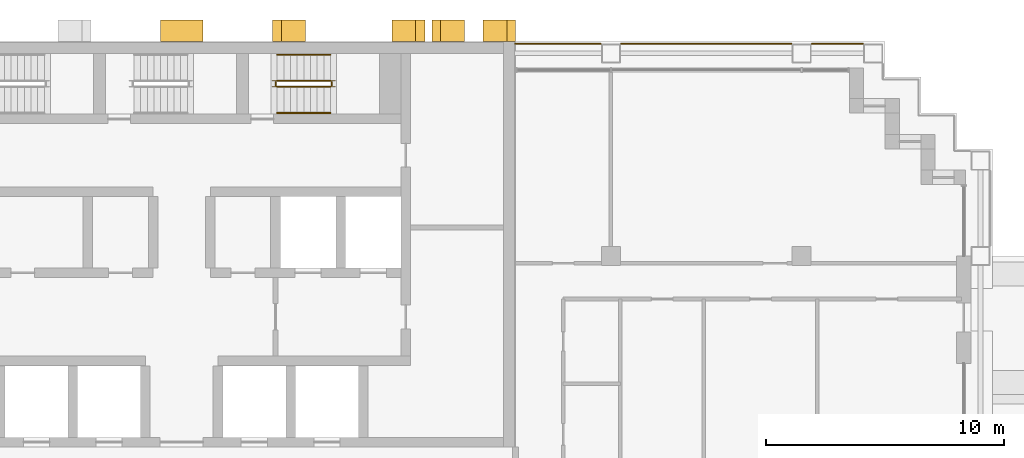
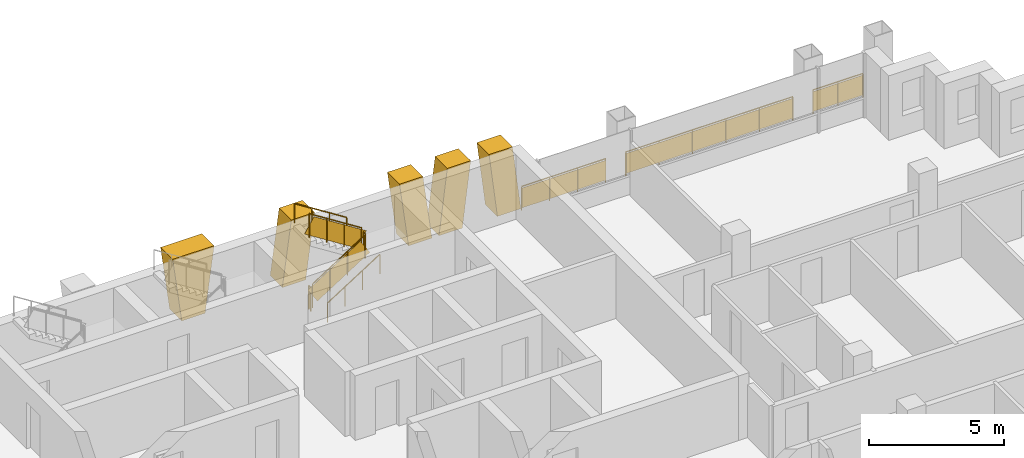
# One storey, part 17 of 18: 9 railings, 5 shading devices.
"""IFC4 building model written with IfcOpenShell, lengths in metres."""

from ifc_helpers import new_model, si_unit, direction, frame, origin, origin_2d, place, context, subcontext, project, spatial, polyline, rectangle, circle, outline, extrude, material, layer, layer_set, type_object, element, save


model = new_model("IFC4")

# Units and contexts
model_context = context("Model", 3, precision=1e-05, world=origin(), true_north=direction((0.0, 1.0)))
body_context = subcontext(model_context, "Body", "Model", "MODEL_VIEW")
ifc_project = project(units=[si_unit("LENGTHUNIT", "METRE"), si_unit("AREAUNIT", "SQUARE_METRE"), si_unit("VOLUMEUNIT", "CUBIC_METRE"), si_unit("PLANEANGLEUNIT", "RADIAN"), si_unit("MASSUNIT", "GRAM", prefix="KILO")], contexts=[model_context])

# Site, building, storey
site_placement = place(None, origin())
site = spatial("IfcSite", under=ifc_project, at=site_placement, CompositionType="ELEMENT")
building_placement = place(site_placement, origin())
building = spatial("IfcBuilding", under=site, at=building_placement, Name="Vidyagriha Tower", CompositionType="ELEMENT")
storey_placement = place(building_placement, frame((0.0, 0.0, 142.199951171875)))
storey = spatial("IfcBuildingStorey", under=building, at=storey_placement, Name="L37", CompositionType="ELEMENT", Elevation=142.199951171875)

# Shading devices
ifc_material_1 = material(Name="Precast concrete C40/50 with brick facing", Category="concrete")
ifc_layer_1 = layer(ifc_material_1, 1.0)
ifc_layer_set_1 = layer_set([ifc_layer_1], Name="Precast concrete C40/50 with brick facing")
shading_device_type_1 = type_object("IfcShadingDeviceType", Name="Brick-faced rear rib arm leaning 8 degrees", PredefinedType="USERDEFINED", material=ifc_layer_set_1)
shading_device_1_placement = place(storey_placement, frame((11.857177734375, 20.449951171875, 0.0), z_axis=(0.0, 0.0, 1.0), x_axis=(-1.0, 0.0, 0.0)))
element("IfcShadingDevice", 1, at=shading_device_1_placement, inside=storey, type_object=shading_device_type_1, Name="Rear rib arm L37 R08.1a", ObjectType="BLADE FIN", PredefinedType="USERDEFINED", context=body_context, shape_type="SweptSolid", body=[
    extrude(outline(polyline([(0.357177734375, 0.0), (1.357177734375, 0.0), (1.0, 2.920166015625), (0.0, 2.920166015625), (0.357177734375, 0.0)])), frame((0.0, 0.449951171875, 0.0), z_axis=(0.0, -1.0, 0.0), x_axis=(1.0, 0.0, 0.0)), (0.0, 0.0, 1.0), 0.89990234375),
])
shading_device_2_placement = place(storey_placement, frame((14.0, 20.449951171875, 0.0), z_axis=(0.0, 0.0, 1.0), x_axis=(-1.0, 0.0, 0.0)))
element("IfcShadingDevice", 2, at=shading_device_2_placement, inside=storey, type_object=shading_device_type_1, Name="Rear rib arm L37 R08.1b", ObjectType="BLADE FIN", PredefinedType="USERDEFINED", context=body_context, shape_type="SweptSolid", body=[
    extrude(outline(polyline([(0.0, 0.0), (1.0, 0.0), (1.357177734375, 2.920166015625), (0.357177734375, 2.920166015625), (0.0, 0.0)])), frame((0.0, 0.449951171875, 0.0), z_axis=(0.0, -1.0, 0.0), x_axis=(1.0, 0.0, 0.0)), (0.0, 0.0, 1.0), 0.89990234375),
])
shading_device_3_placement = place(storey_placement, frame((5.185791015625, 20.449951171875, 0.0), z_axis=(0.0, 0.0, 1.0), x_axis=(-1.0, 0.0, 0.0)))
element("IfcShadingDevice", 3, at=shading_device_3_placement, inside=storey, type_object=shading_device_type_1, Name="Rear rib arm L37 R08.2a", ObjectType="BLADE FIN", PredefinedType="USERDEFINED", context=body_context, shape_type="SweptSolid", body=[
    extrude(outline(polyline([(0.3857421875, 0.0), (1.3857421875, 0.0), (1.0, 2.920166015625), (0.0, 2.920166015625), (0.3857421875, 0.0)])), frame((0.0, 0.449951171875, 0.0), z_axis=(0.0, -1.0, 0.0), x_axis=(1.0, 0.0, 0.0)), (0.0, 0.0, 1.0), 0.89990234375),
])
shading_device_4_placement = place(storey_placement, frame((10.199951171875, 20.449951171875, 0.0), z_axis=(0.0, 0.0, 1.0), x_axis=(-1.0, 0.0, 0.0)))
element("IfcShadingDevice", 4, at=shading_device_4_placement, inside=storey, type_object=shading_device_type_1, Name="Rear rib arm L37 R08.2b", ObjectType="BLADE FIN", PredefinedType="USERDEFINED", context=body_context, shape_type="SweptSolid", body=[
    extrude(outline(polyline([(0.0, 0.0), (1.0, 0.0), (1.3857421875, 2.920166015625), (0.3857421875, 2.920166015625), (0.0, 0.0)])), frame((0.0, 0.449951171875, 0.0), z_axis=(0.0, -1.0, 0.0), x_axis=(1.0, 0.0, 0.0)), (0.0, 0.0, 1.0), 0.89990234375),
])
ifc_material_2 = material(Name="Precast concrete C40/50 with brick facing", Category="concrete")
ifc_layer_2 = layer(ifc_material_2, 1.0)
ifc_layer_set_2 = layer_set([ifc_layer_2], Name="Precast concrete C40/50 with brick facing")
shading_device_type_2 = type_object("IfcShadingDeviceType", Name="Brick-faced rear rib forking 8 degrees", PredefinedType="USERDEFINED", material=ifc_layer_set_2)
shading_device_5_placement = place(storey_placement, frame((0.8857421875, 20.449951171875, 0.0), z_axis=(0.0, 0.0, 1.0), x_axis=(-1.0, 0.0, 0.0)))
element("IfcShadingDevice", 5, at=shading_device_5_placement, inside=storey, type_object=shading_device_type_2, Name="Rear rib fork L37 R08.3a", ObjectType="BLADE FIN", PredefinedType="USERDEFINED", context=body_context, shape_type="SweptSolid", body=[
    extrude(outline(polyline([(0.3857421875, 0.0), (1.3857421875, 0.0), (1.771484375, 2.920166015625), (0.0, 2.920166015625), (0.3857421875, 0.0)])), frame((0.0, 0.449951171875, 0.0), z_axis=(0.0, -1.0, 0.0), x_axis=(1.0, 0.0, 0.0)), (0.0, 0.0, 1.0), 0.89990234375),
])

# Railings
ifc_material_3 = material(Name="Steel ASTM A500 Grade C black painted", Category="steel")
railing_type_1 = type_object("IfcRailingType", Name="Gallery guard 1100", PredefinedType="GUARDRAIL", material=ifc_material_3)
railing_1_placement = place(storey_placement, frame((13.97998046875, 19.89990234375, 0.0)))
element("IfcRailing", 6, at=railing_1_placement, inside=storey, type_object=railing_type_1, Name="Gallery guard L37 9", PredefinedType="GUARDRAIL", context=body_context, shape_type="SweptSolid", body=[
    extrude(circle(Radius=0.02490234375, at=origin_2d()), frame((0.0, 0.0, 1.0751953125), z_axis=(1.0, 0.0, 0.0), x_axis=(0.0, 1.0, 0.0)), (0.0, 0.0, 1.0), 3.590087890625),
    extrude(circle(Radius=0.02001953125, at=origin_2d()), origin(), (0.0, 0.0, 1.0), 1.050048828125),
    extrude(circle(Radius=0.02001953125, at=origin_2d()), frame((1.19677734375, 0.0, 0.0)), (0.0, 0.0, 1.0), 1.050048828125),
    extrude(circle(Radius=0.02001953125, at=origin_2d()), frame((2.393310546875, 0.0, 0.0)), (0.0, 0.0, 1.0), 1.050048828125),
    extrude(circle(Radius=0.02001953125, at=origin_2d()), frame((3.590087890625, 0.0, 0.0)), (0.0, 0.0, 1.0), 1.050048828125),
    extrude(rectangle(XDim=0.010009765625, YDim=0.900146484375, at=origin_2d()), frame((0.0, 0.0, 0.550048828125), z_axis=(1.0, 0.0, 0.0), x_axis=(0.0, 1.0, 0.0)), (0.0, 0.0, 1.0), 3.590087890625),
])
railing_2_placement = place(storey_placement, frame((18.429931640625, 19.89990234375, 0.0)))
element("IfcRailing", 7, at=railing_2_placement, inside=storey, type_object=railing_type_1, Name="Gallery guard L37 10", PredefinedType="GUARDRAIL", context=body_context, shape_type="SweptSolid", body=[
    extrude(circle(Radius=0.02490234375, at=origin_2d()), frame((0.0, 0.0, 1.0751953125), z_axis=(1.0, 0.0, 0.0), x_axis=(0.0, 1.0, 0.0)), (0.0, 0.0, 1.0), 7.14013671875),
    extrude(circle(Radius=0.02001953125, at=origin_2d()), origin(), (0.0, 0.0, 1.0), 1.050048828125),
    extrude(circle(Radius=0.02001953125, at=origin_2d()), frame((1.427978515625, 0.0, 0.0)), (0.0, 0.0, 1.0), 1.050048828125),
    extrude(circle(Radius=0.02001953125, at=origin_2d()), frame((2.85595703125, 0.0, 0.0)), (0.0, 0.0, 1.0), 1.050048828125),
    extrude(circle(Radius=0.02001953125, at=origin_2d()), frame((4.2841796875, 0.0, 0.0)), (0.0, 0.0, 1.0), 1.050048828125),
    extrude(circle(Radius=0.02001953125, at=origin_2d()), frame((5.712158203125, 0.0, 0.0)), (0.0, 0.0, 1.0), 1.050048828125),
    extrude(circle(Radius=0.02001953125, at=origin_2d()), frame((7.14013671875, 0.0, 0.0)), (0.0, 0.0, 1.0), 1.050048828125),
    extrude(rectangle(XDim=0.010009765625, YDim=0.900146484375, at=origin_2d()), frame((0.0, 0.0, 0.550048828125), z_axis=(1.0, 0.0, 0.0), x_axis=(0.0, 1.0, 0.0)), (0.0, 0.0, 1.0), 7.14013671875),
])
railing_3_placement = place(storey_placement, frame((26.429931640625, 19.89990234375, 0.0)))
element("IfcRailing", 8, at=railing_3_placement, inside=storey, type_object=railing_type_1, Name="Gallery guard L37 12", PredefinedType="GUARDRAIL", context=body_context, shape_type="SweptSolid", body=[
    extrude(circle(Radius=0.02490234375, at=origin_2d()), frame((0.0, 0.0, 1.0751953125), z_axis=(1.0, 0.0, 0.0), x_axis=(0.0, 1.0, 0.0)), (0.0, 0.0, 1.0), 2.14013671875),
    extrude(circle(Radius=0.02001953125, at=origin_2d()), origin(), (0.0, 0.0, 1.0), 1.050048828125),
    extrude(circle(Radius=0.02001953125, at=origin_2d()), frame((1.070068359375, 0.0, 0.0)), (0.0, 0.0, 1.0), 1.050048828125),
    extrude(circle(Radius=0.02001953125, at=origin_2d()), frame((2.14013671875, 0.0, 0.0)), (0.0, 0.0, 1.0), 1.050048828125),
    extrude(rectangle(XDim=0.010009765625, YDim=0.900146484375, at=origin_2d()), frame((0.0, 0.0, 0.550048828125), z_axis=(1.0, 0.0, 0.0), x_axis=(0.0, 1.0, 0.0)), (0.0, 0.0, 1.0), 2.14013671875),
])
ifc_material_4 = material(Name="Steel ASTM A500 Grade C", Category="steel")
railing_type_2 = type_object("IfcRailingType", Name="Stair guard 1100 mm, steel balustrade", PredefinedType="GUARDRAIL", material=ifc_material_4)
railing_4_placement = place(storey_placement, frame((4.0, 18.10009765625, 0.177734375)))
element("IfcRailing", 9, at=railing_4_placement, inside=storey, type_object=railing_type_2, Name="L37 ST3 stair guard 1", PredefinedType="GUARDRAIL", context=body_context, shape_type="SweptSolid", body=[
    extrude(circle(Radius=0.02392578125, at=origin_2d()), frame((0.0, 0.0, 1.076171875), z_axis=(0.84418770128, 0.0, 0.536047689118), x_axis=(0.0, 1.0, 0.0)), (0.0, 0.0, 1.0), 2.6533203125),
    extrude(circle(Radius=0.02099609375, at=origin_2d()), origin(), (0.0, 0.0, 1.0), 1.052001953125),
    extrude(circle(Radius=0.02099609375, at=origin_2d()), frame((0.74658203125, 0.0, 0.47412109375)), (0.0, 0.0, 1.0), 1.052001953125),
    extrude(circle(Radius=0.02099609375, at=origin_2d()), frame((1.493408203125, 0.0, 0.9482421875)), (0.0, 0.0, 1.0), 1.052001953125),
    extrude(circle(Radius=0.02099609375, at=origin_2d()), frame((2.239990234375, 0.0, 1.42236328125)), (0.0, 0.0, 1.0), 1.052001953125),
    extrude(rectangle(XDim=0.010009765625, YDim=0.761474609375, at=origin_2d()), frame((0.0, 0.0, 0.551025390625), z_axis=(0.84418770128, 0.0, 0.536047689118), x_axis=(0.0, 1.0, 0.0)), (0.0, 0.0, 1.0), 2.6533203125),
])
railing_5_placement = place(storey_placement, frame((6.2900390625, 18.14990234375, 1.60009765625)))
element("IfcRailing", 10, at=railing_5_placement, inside=storey, type_object=railing_type_2, Name="L37 ST3 stair guard 2", PredefinedType="GUARDRAIL", context=body_context, shape_type="SweptSolid", body=[
    extrude(circle(Radius=0.02392578125, at=origin_2d()), frame((0.0, 0.0, 1.076171875), z_axis=(0.0, 1.0, 0.0), x_axis=(-1.0, 0.0, 0.0)), (0.0, 0.0, 1.0), 0.150146484375),
    extrude(circle(Radius=0.02099609375, at=origin_2d()), origin(), (0.0, 0.0, 1.0), 1.052001953125),
    extrude(circle(Radius=0.02099609375, at=origin_2d()), frame((0.0, 0.150146484375, 0.0)), (0.0, 0.0, 1.0), 1.052001953125),
    extrude(rectangle(XDim=0.010009765625, YDim=0.902099609375, at=origin_2d()), frame((0.0, 0.0, 0.551025390625), z_axis=(0.0, 1.0, 0.0), x_axis=(-1.0, 0.0, 0.0)), (0.0, 0.0, 1.0), 0.150146484375),
])
railing_6_placement = place(storey_placement, frame((6.239990234375, 18.35009765625, 1.77783203125)))
element("IfcRailing", 11, at=railing_6_placement, inside=storey, type_object=railing_type_2, Name="L37 ST3 stair guard 3", PredefinedType="GUARDRAIL", context=body_context, shape_type="SweptSolid", body=[
    extrude(circle(Radius=0.02392578125, at=origin_2d()), frame((0.0, 0.0, 1.076171875), z_axis=(-0.8442293374, 0.0, 0.53598211339), x_axis=(0.0, -1.0, 0.0)), (0.0, 0.0, 1.0), 2.6533203125),
    extrude(circle(Radius=0.02099609375, at=origin_2d()), origin(), (0.0, 0.0, 1.0), 1.052001953125),
    extrude(circle(Radius=0.02099609375, at=origin_2d()), frame((-0.74658203125, 0.0, 0.47412109375)), (0.0, 0.0, 1.0), 1.052001953125),
    extrude(circle(Radius=0.02099609375, at=origin_2d()), frame((-1.493408203125, 0.0, 0.947998046875)), (0.0, 0.0, 1.0), 1.052001953125),
    extrude(circle(Radius=0.02099609375, at=origin_2d()), frame((-2.239990234375, 0.0, 1.422119140625)), (0.0, 0.0, 1.0), 1.052001953125),
    extrude(rectangle(XDim=0.010009765625, YDim=0.761474609375, at=origin_2d()), frame((0.0, 0.0, 0.551025390625), z_axis=(-0.8442293374, 0.0, 0.53598211339), x_axis=(0.0, -1.0, 0.0)), (0.0, 0.0, 1.0), 2.6533203125),
])
railing_7_placement = place(storey_placement, frame((3.949951171875, 18.14990234375, 0.0)))
element("IfcRailing", 12, at=railing_7_placement, inside=storey, type_object=railing_type_2, Name="L37 ST3 stair guard 4", PredefinedType="GUARDRAIL", context=body_context, shape_type="SweptSolid", body=[
    extrude(circle(Radius=0.02392578125, at=origin_2d()), frame((0.0, 0.0, 1.076171875), z_axis=(0.0, 1.0, 0.0), x_axis=(-1.0, 0.0, 0.0)), (0.0, 0.0, 1.0), 0.150146484375),
    extrude(circle(Radius=0.02099609375, at=origin_2d()), origin(), (0.0, 0.0, 1.0), 1.052001953125),
    extrude(circle(Radius=0.02099609375, at=origin_2d()), frame((0.0, 0.150146484375, 0.0)), (0.0, 0.0, 1.0), 1.052001953125),
    extrude(rectangle(XDim=0.010009765625, YDim=0.902099609375, at=origin_2d()), frame((0.0, 0.0, 0.551025390625), z_axis=(0.0, 1.0, 0.0), x_axis=(-1.0, 0.0, 0.0)), (0.0, 0.0, 1.0), 0.150146484375),
])
ifc_material_5 = material(Name="Steel ASTM A500 Grade C", Category="steel")
railing_type_3 = type_object("IfcRailingType", Name="Stair handrail 900 mm, steel", PredefinedType="HANDRAIL", material=ifc_material_5)
railing_8_placement = place(storey_placement, frame((4.0, 17.0, 0.177734375)))
element("IfcRailing", 13, at=railing_8_placement, inside=storey, type_object=railing_type_3, Name="L37 ST3 stair handrail 1", PredefinedType="HANDRAIL", context=body_context, shape_type="SweptSolid", body=[
    extrude(circle(Radius=0.02392578125, at=origin_2d()), frame((0.0, 0.0, 0.8759765625), z_axis=(0.84418770128, 0.0, 0.536047689118), x_axis=(0.0, 1.0, 0.0)), (0.0, 0.0, 1.0), 2.6533203125),
    extrude(circle(Radius=0.02099609375, at=origin_2d()), origin(), (0.0, 0.0, 1.0), 0.851806640625),
    extrude(circle(Radius=0.02099609375, at=origin_2d()), frame((0.74658203125, 0.0, 0.47412109375)), (0.0, 0.0, 1.0), 0.851806640625),
    extrude(circle(Radius=0.02099609375, at=origin_2d()), frame((1.493408203125, 0.0, 0.9482421875)), (0.0, 0.0, 1.0), 0.851806640625),
    extrude(circle(Radius=0.02099609375, at=origin_2d()), frame((2.239990234375, 0.0, 1.42236328125)), (0.0, 0.0, 1.0), 0.851806640625),
])
railing_9_placement = place(storey_placement, frame((6.239990234375, 19.449951171875, 1.77783203125)))
element("IfcRailing", 14, at=railing_9_placement, inside=storey, type_object=railing_type_3, Name="L37 ST3 stair handrail 2", PredefinedType="HANDRAIL", context=body_context, shape_type="SweptSolid", body=[
    extrude(circle(Radius=0.02392578125, at=origin_2d()), frame((0.0, 0.0, 0.8759765625), z_axis=(-0.8442293374, 0.0, 0.53598211339), x_axis=(0.0, -1.0, 0.0)), (0.0, 0.0, 1.0), 2.6533203125),
    extrude(circle(Radius=0.02099609375, at=origin_2d()), origin(), (0.0, 0.0, 1.0), 0.851806640625),
    extrude(circle(Radius=0.02099609375, at=origin_2d()), frame((-0.74658203125, 0.0, 0.47412109375)), (0.0, 0.0, 1.0), 0.851806640625),
    extrude(circle(Radius=0.02099609375, at=origin_2d()), frame((-1.493408203125, 0.0, 0.947998046875)), (0.0, 0.0, 1.0), 0.851806640625),
    extrude(circle(Radius=0.02099609375, at=origin_2d()), frame((-2.239990234375, 0.0, 1.422119140625)), (0.0, 0.0, 1.0), 0.851806640625),
])

save(model, "model.ifc")
